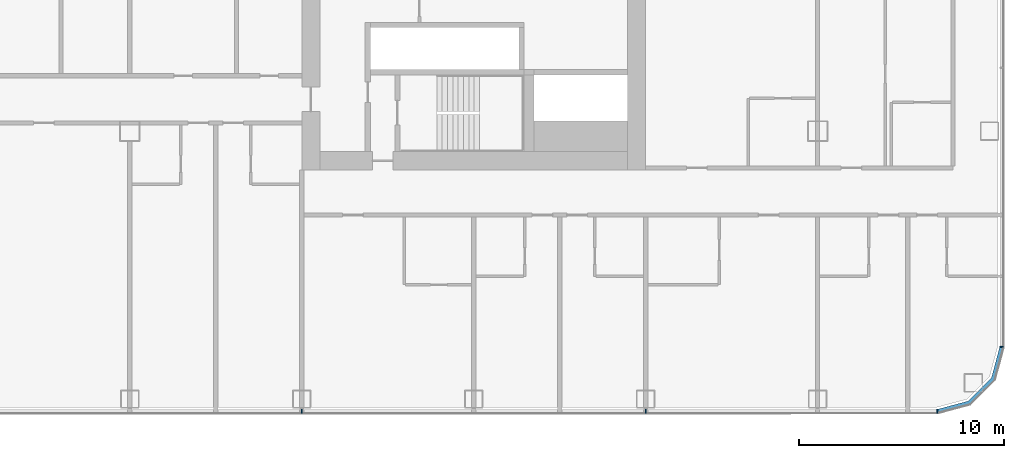
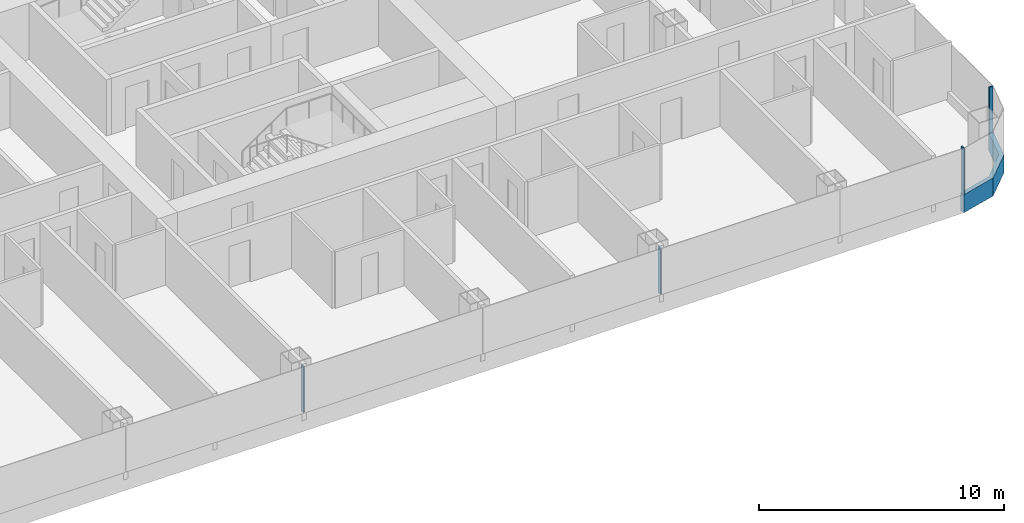
# One storey, part 9 of 28: 5 members, 3 elements without a shape of their own.
"""IFC4 building model written with IfcOpenShell, lengths in metres."""

from ifc_helpers import new_model, si_unit, direction, frame, origin, origin_2d, place, context, subcontext, project, spatial, polyline, rectangle, outline, extrude, material, layer, layer_set, material_profile, profile_set, type_object, element, aggregate, save


model = new_model("IFC4")

# Units and contexts
model_context = context("Model", 3, precision=1e-05, world=origin(), true_north=direction((0.0, 1.0)))
body_context = subcontext(model_context, "Body", "Model", "MODEL_VIEW")
ifc_project = project(units=[si_unit("LENGTHUNIT", "METRE"), si_unit("AREAUNIT", "SQUARE_METRE"), si_unit("VOLUMEUNIT", "CUBIC_METRE"), si_unit("PLANEANGLEUNIT", "RADIAN"), si_unit("MASSUNIT", "GRAM", prefix="KILO")], contexts=[model_context])

# Site, building, storey
site_placement = place(None, origin())
site = spatial("IfcSite", under=ifc_project, at=site_placement, CompositionType="ELEMENT")
building_placement = place(site_placement, origin())
building = spatial("IfcBuilding", under=site, at=building_placement, Name="Hakoniwa Tower and Hamabe Station Hall", CompositionType="ELEMENT")
storey_placement = place(building_placement, frame((0.0, 0.0, 58.199951171875)))
storey = spatial("IfcBuildingStorey", under=building, at=storey_placement, Name="L16", CompositionType="ELEMENT", Elevation=58.199951171875)

# Curtain wall, member
ifc_material_1 = material(Name="Dark low-e laminated glass", Category="glass")
ifc_layer = layer(ifc_material_1, 0.199951171875)
ifc_layer_set = layer_set([ifc_layer], Name="CW-1 UNITISED GUEST")
curtain_wall_type = type_object("IfcCurtainWallType", Name="CW-1 UNITISED GUEST", PredefinedType="NOTDEFINED", material=ifc_layer_set)
curtain_wall_1_placement = place(storey_placement, origin())
curtain_wall_1 = element("IfcCurtainWall", 1, at=curtain_wall_1_placement, inside=storey, type_object=curtain_wall_type, Name="CW-1 curtain wall", PredefinedType="NOTDEFINED")
ifc_material_2 = material(Name="Aluminium 6063-T5 black anodised", Category="aluminium")
ifc_material_profile_1 = material_profile(ifc_material_2, rectangle(XDim=0.199951171875, YDim=0.89990234375, at=origin_2d()), Name="CW SLAB-EDGE BAND 900X200")
ifc_profile_set_1 = profile_set([ifc_material_profile_1], Name="Aluminium 6063-T5 black anodised")
member_type_1 = type_object("IfcMemberType", Name="CW SLAB-EDGE BAND 900X200", PredefinedType="USERDEFINED", material=ifc_profile_set_1)
member_1_placement = place(storey_placement, frame((0.0, 0.0, -0.550048828125)))
member_1 = element("IfcMember", 2, at=member_1_placement, type_object=member_type_1, Name="CW-1 transom", ObjectType="TRANSOM", PredefinedType="USERDEFINED", context=body_context, shape_type="SweptSolid", body=[
    extrude(outline(polyline([(47.839599609375, -20.300048828125), (49.455322265625, -19.866943359375), (50.6669921875, -18.6552734375), (51.10009765625, -17.03955078125), (50.90673828125, -16.98779296875), (50.48779296875, -18.5517578125), (49.351806640625, -19.687744140625), (47.787841796875, -20.10693359375), (47.839599609375, -20.300048828125)])), origin(), (0.0, 0.0, 1.0), 0.900146484375),
])
aggregate(curtain_wall_1, [member_1])

curtain_wall_2_placement = place(storey_placement, origin())
curtain_wall_2 = element("IfcCurtainWall", 3, at=curtain_wall_2_placement, inside=storey, type_object=curtain_wall_type, Name="CW-1 curtain wall", PredefinedType="NOTDEFINED")
ifc_material_3 = material(Name="Aluminium 6063-T5 black anodised", Category="aluminium")
ifc_material_profile_2 = material_profile(ifc_material_3, rectangle(XDim=0.06005859375, YDim=0.179931640625, at=origin_2d()), Name="CW-1 MULLION 60X180")
ifc_profile_set_2 = profile_set([ifc_material_profile_2], Name="Aluminium 6063-T5 black anodised")
member_type_2 = type_object("IfcMemberType", Name="CW-1 MULLION 60X180", PredefinedType="MULLION", material=ifc_profile_set_2)
member_2_placement = place(storey_placement, frame((50.98193359375, -17.03955078125, 0.35009765625), z_axis=(0.0, 0.0, 1.0), x_axis=(0.0, 1.0, 0.0)))
member_2 = element("IfcMember", 4, at=member_2_placement, type_object=member_type_2, Name="CW-1 mullion", PredefinedType="MULLION", context=body_context, shape_type="SweptSolid", body=[
    extrude(rectangle(XDim=0.06005859375, YDim=0.179931640625, at=origin_2d()), origin(), (0.0, 0.0, 1.0), 2.300048828125),
])
aggregate(curtain_wall_2, [member_2])

# Curtain wall, members
curtain_wall_3_placement = place(storey_placement, origin())
curtain_wall_3 = element("IfcCurtainWall", 5, at=curtain_wall_3_placement, inside=storey, type_object=curtain_wall_type, Name="CW-1 curtain wall", PredefinedType="NOTDEFINED")
member_3_placement = place(storey_placement, frame((16.800048828125, -20.181884765625, 0.35009765625), z_axis=(0.0, 0.0, 1.0), x_axis=(1.0, 0.0, 0.0)))
member_3 = element("IfcMember", 6, at=member_3_placement, type_object=member_type_2, Name="CW-1 mullion", PredefinedType="MULLION", context=body_context, shape_type="SweptSolid", body=[
    extrude(rectangle(XDim=0.06005859375, YDim=0.179931640625, at=origin_2d()), origin(), (0.0, 0.0, 1.0), 2.300048828125),
])
member_4_placement = place(storey_placement, frame((33.60009765625, -20.181884765625, 0.35009765625), z_axis=(0.0, 0.0, 1.0), x_axis=(1.0, 0.0, 0.0)))
member_4 = element("IfcMember", 7, at=member_4_placement, type_object=member_type_2, Name="CW-1 mullion", PredefinedType="MULLION", context=body_context, shape_type="SweptSolid", body=[
    extrude(rectangle(XDim=0.06005859375, YDim=0.179931640625, at=origin_2d()), origin(), (0.0, 0.0, 1.0), 2.300048828125),
])
member_5_placement = place(storey_placement, frame((47.839599609375, -20.181884765625, 0.35009765625), z_axis=(0.0, 0.0, 1.0), x_axis=(1.0, 0.0, 0.0)))
member_5 = element("IfcMember", 8, at=member_5_placement, type_object=member_type_2, Name="CW-1 mullion", PredefinedType="MULLION", context=body_context, shape_type="SweptSolid", body=[
    extrude(rectangle(XDim=0.06005859375, YDim=0.179931640625, at=origin_2d()), origin(), (0.0, 0.0, 1.0), 2.300048828125),
])
aggregate(curtain_wall_3, [member_3, member_4, member_5])

save(model, "model.ifc")
